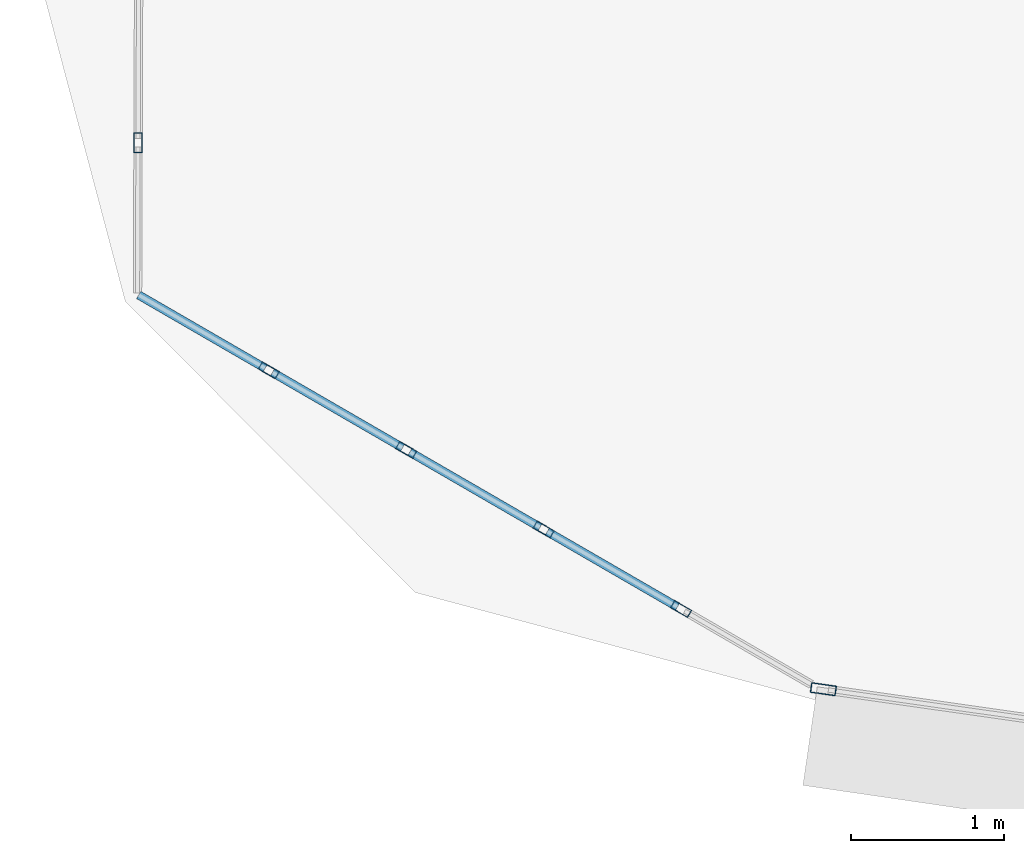
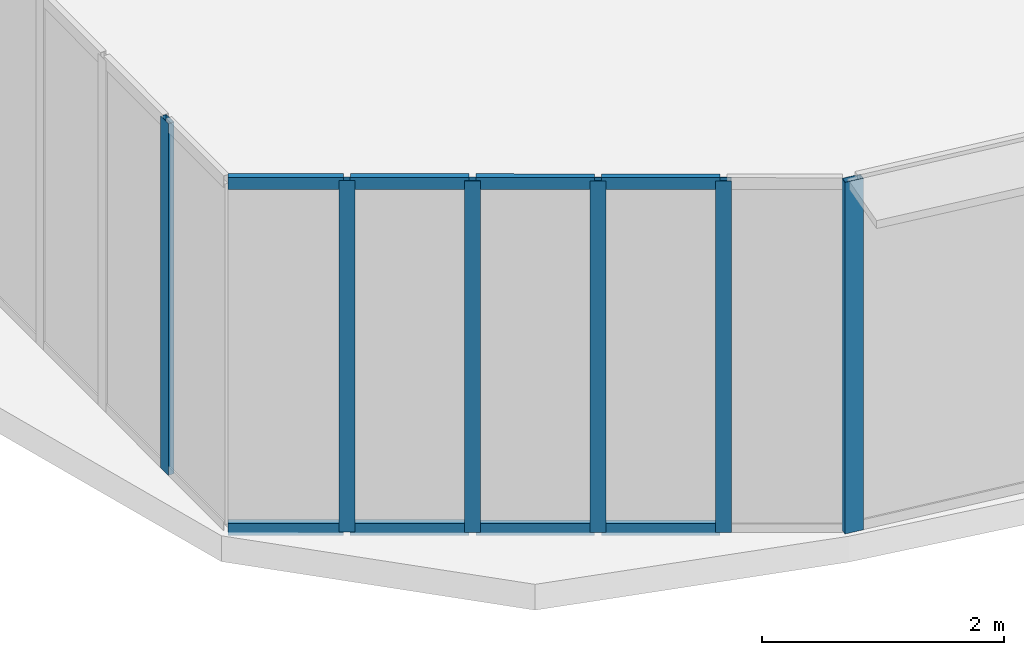
# One storey, part 2 of 39: 14 members, 3 elements without a shape of their own.
"""IFC4 building model written with IfcOpenShell, lengths in metres."""

from ifc_helpers import new_model, si_unit, direction, frame, origin, origin_2d, place, context, subcontext, project, spatial, hollow_rectangle, extrude, source, transform, mapped, material, layer, layer_set, material_profile, profile_set, type_object, element, aggregate, save


model = new_model("IFC4")

# Units and contexts
model_context = context("Model", 3, precision=1e-05, world=origin(), true_north=direction((0.0, 1.0)))
body_context = subcontext(model_context, "Body", "Model", "MODEL_VIEW")
ifc_project = project(units=[si_unit("LENGTHUNIT", "METRE"), si_unit("AREAUNIT", "SQUARE_METRE"), si_unit("VOLUMEUNIT", "CUBIC_METRE"), si_unit("PLANEANGLEUNIT", "RADIAN"), si_unit("MASSUNIT", "GRAM", prefix="KILO"), si_unit("THERMODYNAMICTEMPERATUREUNIT", "KELVIN"), si_unit("POWERUNIT", "WATT")], contexts=[model_context])

# Site, building, storey
site_placement = place(None, origin())
site = spatial("IfcSite", under=ifc_project, at=site_placement, CompositionType="ELEMENT")
building_placement = place(site_placement, origin())
building = spatial("IfcBuilding", under=site, at=building_placement, Name="Yunzhuo Pagoda Commons", CompositionType="ELEMENT")
storey_placement = place(building_placement, frame((0.0, 0.0, 100.179931640625)))
storey = spatial("IfcBuildingStorey", under=building, at=storey_placement, Name="L25", CompositionType="ELEMENT", Elevation=100.179931640625)

# Curtain wall, member
ifc_material = material(Name="Anodized aluminium 6063-T6", Category="aluminium")
ifc_layer_1 = layer(ifc_material, 0.1650390625)
ifc_layer_set_1 = layer_set([ifc_layer_1], Name="Anodized aluminium 6063-T6")
curtain_wall_type_1 = type_object("IfcCurtainWallType", Name="CW-LOW Low-Zone Ribbon Curtain Wall", PredefinedType="NOTDEFINED", material=ifc_layer_set_1)
curtain_wall_1_placement = place(storey_placement, origin())
curtain_wall_1 = element("IfcCurtainWall", 1, at=curtain_wall_1_placement, inside=storey, type_object=curtain_wall_type_1, Name="L25 curtain wall CW-L25-F1B1", PredefinedType="NOTDEFINED")
ifc_material_profile_1 = material_profile(ifc_material, hollow_rectangle(XDim=0.06494140625, YDim=0.1650390625, WallThickness=0.00390625, at=origin_2d()), Name="Anodized aluminium 6063-T6")
ifc_profile_set_1 = profile_set([ifc_material_profile_1], Name="Anodized aluminium 6063-T6")
member_type_1 = type_object("IfcMemberType", Name="CW-LOW-M Mullion RHS 165x65x4", PredefinedType="MULLION", material=ifc_profile_set_1)
shared_shape_1 = source(origin(), body_context, "Body", "SweptSolid", [
    extrude(hollow_rectangle(XDim=0.06494140625, YDim=0.1650390625, WallThickness=0.00390625, at=origin_2d()), origin(), (0.0, 0.0, 1.0), 3.5400390625),
])
member_1_placement = place(storey_placement, frame((10.7119140625, 15.32568359375, 0.0), z_axis=(0.0, 0.0, 1.0), x_axis=(0.140773671614, 0.990041803855, 0.0)))
member_1 = element("IfcMember", 2, at=member_1_placement, type_object=member_type_1, Name="CW mullion 1", PredefinedType="MULLION", context=body_context, shape_type="MappedRepresentation", body=[
    mapped(shared_shape_1, transform((0.0, 0.0, 0.0), scale=1.0)),
])
aggregate(curtain_wall_1, [member_1])

ifc_layer_2 = layer(ifc_material, 0.1298828125)
ifc_layer_set_2 = layer_set([ifc_layer_2], Name="Anodized aluminium 6063-T6")
curtain_wall_type_2 = type_object("IfcCurtainWallType", Name="CW-VTX Rounded Corner Curtain Wall", PredefinedType="NOTDEFINED", material=ifc_layer_set_2)
curtain_wall_2_placement = place(storey_placement, origin())
curtain_wall_2 = element("IfcCurtainWall", 3, at=curtain_wall_2_placement, inside=storey, type_object=curtain_wall_type_2, Name="L25 curtain wall CW-L25-VTX1S1", PredefinedType="NOTDEFINED")
ifc_material_profile_2 = material_profile(ifc_material, hollow_rectangle(XDim=0.054931640625, YDim=0.1298828125, WallThickness=0.00341796875, at=origin_2d()), Name="Anodized aluminium 6063-T6")
ifc_profile_set_2 = profile_set([ifc_material_profile_2], Name="Anodized aluminium 6063-T6")
member_type_2 = type_object("IfcMemberType", Name="CW-VTX-M Mullion RHS 130x55x3.5", PredefinedType="MULLION", material=ifc_profile_set_2)
shared_shape_2 = source(origin(), body_context, "Body", "SweptSolid", [
    extrude(hollow_rectangle(XDim=0.054931640625, YDim=0.1298828125, WallThickness=0.00341796875, at=origin_2d()), origin(), (0.0, 0.0, 1.0), 3.5400390625),
])
member_2_placement = place(storey_placement, frame((6.242431640625, 18.89013671875, 0.0), z_axis=(0.0, 0.0, 1.0), x_axis=(0.999993616843, -0.003572992237, 0.0)))
member_2 = element("IfcMember", 4, at=member_2_placement, type_object=member_type_2, Name="CW mullion 5", PredefinedType="MULLION", context=body_context, shape_type="MappedRepresentation", body=[
    mapped(shared_shape_2, transform((0.0, 0.0, 0.0), scale=1.0)),
])
aggregate(curtain_wall_2, [member_2])

# Curtain wall, members
curtain_wall_3_placement = place(storey_placement, origin())
curtain_wall_3 = element("IfcCurtainWall", 5, at=curtain_wall_3_placement, inside=storey, type_object=curtain_wall_type_2, Name="L25 curtain wall CW-L25-VTX1S2", PredefinedType="NOTDEFINED")
member_3_placement = place(storey_placement, frame((7.094970703125, 17.4052734375, 0.0), z_axis=(0.0, 0.0, 1.0), x_axis=(0.501035509214, 0.865426726249, 0.0)))
member_3 = element("IfcMember", 6, at=member_3_placement, type_object=member_type_2, Name="CW mullion 2", PredefinedType="MULLION", context=body_context, shape_type="MappedRepresentation", body=[
    mapped(shared_shape_2, transform((0.0, 0.0, 0.0), scale=1.0)),
])
member_4_placement = place(storey_placement, frame((7.9912109375, 16.886474609375, 0.0), z_axis=(0.0, 0.0, 1.0), x_axis=(0.501035509214, 0.865426726249, 0.0)))
member_4 = element("IfcMember", 7, at=member_4_placement, type_object=member_type_2, Name="CW mullion 3", PredefinedType="MULLION", context=body_context, shape_type="MappedRepresentation", body=[
    mapped(shared_shape_2, transform((0.0, 0.0, 0.0), scale=1.0)),
])
member_5_placement = place(storey_placement, frame((8.887451171875, 16.36767578125, 0.0), z_axis=(0.0, 0.0, 1.0), x_axis=(0.501035509214, 0.865426726249, 0.0)))
member_5 = element("IfcMember", 8, at=member_5_placement, type_object=member_type_2, Name="CW mullion 4", PredefinedType="MULLION", context=body_context, shape_type="MappedRepresentation", body=[
    mapped(shared_shape_2, transform((0.0, 0.0, 0.0), scale=1.0)),
])
member_6_placement = place(storey_placement, frame((9.78369140625, 15.8486328125, 0.0), z_axis=(0.0, 0.0, 1.0), x_axis=(0.501035509214, 0.865426726249, 0.0)))
member_6 = element("IfcMember", 9, at=member_6_placement, type_object=member_type_2, Name="CW mullion 5", PredefinedType="MULLION", context=body_context, shape_type="MappedRepresentation", body=[
    mapped(shared_shape_2, transform((0.0, 0.0, 0.0), scale=1.0)),
])
ifc_material_profile_3 = material_profile(ifc_material, hollow_rectangle(XDim=0.054931640625, YDim=0.1201171875, WallThickness=0.00341796875, at=origin_2d()), Name="Anodized aluminium 6063-T6")
ifc_profile_set_3 = profile_set([ifc_material_profile_3], Name="Anodized aluminium 6063-T6")
member_type_3 = type_object("IfcMemberType", Name="CW-VTX-T Transom RHS 120x55x3.5", PredefinedType="USERDEFINED", material=ifc_profile_set_3)
shared_shape_3 = source(origin(), body_context, "Body", "SweptSolid", [
    extrude(hollow_rectangle(XDim=0.054931640625, YDim=0.1201171875, WallThickness=0.00341796875, at=origin_2d()), origin(), (0.0, 0.0, 1.0), 0.980224609375),
])
member_7_placement = place(storey_placement, frame((7.119140625, 17.3916015625, 0.02783203125), z_axis=(0.865409234617, -0.501065720878, 0.0), x_axis=(0.501065720878, 0.865409234617, 0.0)))
member_7 = element("IfcMember", 10, at=member_7_placement, type_object=member_type_3, Name="CW transom 2.1", ObjectType="TRANSOM", PredefinedType="USERDEFINED", context=body_context, shape_type="MappedRepresentation", body=[
    mapped(shared_shape_3, transform((0.0, 0.0, 0.0), scale=1.0)),
])
member_8_placement = place(storey_placement, frame((7.119140625, 17.3916015625, 3.512451171875), z_axis=(0.865409234617, -0.501065720878, 0.0), x_axis=(0.501065720878, 0.865409234617, 0.0)))
member_8 = element("IfcMember", 11, at=member_8_placement, type_object=member_type_3, Name="CW transom 2.2", ObjectType="TRANSOM", PredefinedType="USERDEFINED", context=body_context, shape_type="MappedRepresentation", body=[
    mapped(shared_shape_3, transform((0.0, 0.0, 0.0), scale=1.0)),
])
member_9_placement = place(storey_placement, frame((8.01513671875, 16.87255859375, 0.02783203125), z_axis=(0.865409234617, -0.501065720878, 0.0), x_axis=(0.501065720878, 0.865409234617, 0.0)))
member_9 = element("IfcMember", 12, at=member_9_placement, type_object=member_type_3, Name="CW transom 3.1", ObjectType="TRANSOM", PredefinedType="USERDEFINED", context=body_context, shape_type="MappedRepresentation", body=[
    mapped(shared_shape_3, transform((0.0, 0.0, 0.0), scale=1.0)),
])
member_10_placement = place(storey_placement, frame((8.01513671875, 16.87255859375, 3.512451171875), z_axis=(0.865409234617, -0.501065720878, 0.0), x_axis=(0.501065720878, 0.865409234617, 0.0)))
member_10 = element("IfcMember", 13, at=member_10_placement, type_object=member_type_3, Name="CW transom 3.2", ObjectType="TRANSOM", PredefinedType="USERDEFINED", context=body_context, shape_type="MappedRepresentation", body=[
    mapped(shared_shape_3, transform((0.0, 0.0, 0.0), scale=1.0)),
])
shared_shape_4 = source(origin(), body_context, "Body", "SweptSolid", [
    extrude(hollow_rectangle(XDim=0.054931640625, YDim=0.1201171875, WallThickness=0.00341796875, at=origin_2d()), origin(), (0.0, 0.0, 1.0), 0.98046875),
])
member_11_placement = place(storey_placement, frame((8.9111328125, 16.353759765625, 0.02783203125), z_axis=(0.865471739755, -0.500957750399, 0.0), x_axis=(0.500957750399, 0.865471739755, 0.0)))
member_11 = element("IfcMember", 14, at=member_11_placement, type_object=member_type_3, Name="CW transom 4.1", ObjectType="TRANSOM", PredefinedType="USERDEFINED", context=body_context, shape_type="MappedRepresentation", body=[
    mapped(shared_shape_4, transform((0.0, 0.0, 0.0), scale=1.0)),
])
member_12_placement = place(storey_placement, frame((8.9111328125, 16.353759765625, 3.512451171875), z_axis=(0.865471739755, -0.500957750399, 0.0), x_axis=(0.500957750399, 0.865471739755, 0.0)))
member_12 = element("IfcMember", 15, at=member_12_placement, type_object=member_type_3, Name="CW transom 4.2", ObjectType="TRANSOM", PredefinedType="USERDEFINED", context=body_context, shape_type="MappedRepresentation", body=[
    mapped(shared_shape_4, transform((0.0, 0.0, 0.0), scale=1.0)),
])
shared_shape_5 = source(origin(), body_context, "Body", "SweptSolid", [
    extrude(hollow_rectangle(XDim=0.054931640625, YDim=0.1201171875, WallThickness=0.00341796875, at=origin_2d()), origin(), (0.0, 0.0, 1.0), 0.952880859375),
])
member_13_placement = place(storey_placement, frame((6.24658203125, 17.896484375, 0.02783203125), z_axis=(0.865391204156, -0.501096860666, 0.0), x_axis=(0.501096860666, 0.865391204156, 0.0)))
member_13 = element("IfcMember", 16, at=member_13_placement, type_object=member_type_3, Name="CW transom 1.1", ObjectType="TRANSOM", PredefinedType="USERDEFINED", context=body_context, shape_type="MappedRepresentation", body=[
    mapped(shared_shape_5, transform((0.0, 0.0, 0.0), scale=1.0)),
])
member_14_placement = place(storey_placement, frame((6.24658203125, 17.896484375, 3.512451171875), z_axis=(0.865391204156, -0.501096860666, 0.0), x_axis=(0.501096860666, 0.865391204156, 0.0)))
member_14 = element("IfcMember", 17, at=member_14_placement, type_object=member_type_3, Name="CW transom 1.2", ObjectType="TRANSOM", PredefinedType="USERDEFINED", context=body_context, shape_type="MappedRepresentation", body=[
    mapped(shared_shape_5, transform((0.0, 0.0, 0.0), scale=1.0)),
])
aggregate(curtain_wall_3, [member_3, member_4, member_5, member_6, member_13, member_14, member_7, member_8, member_9, member_10, member_11, member_12])

save(model, "model.ifc")
